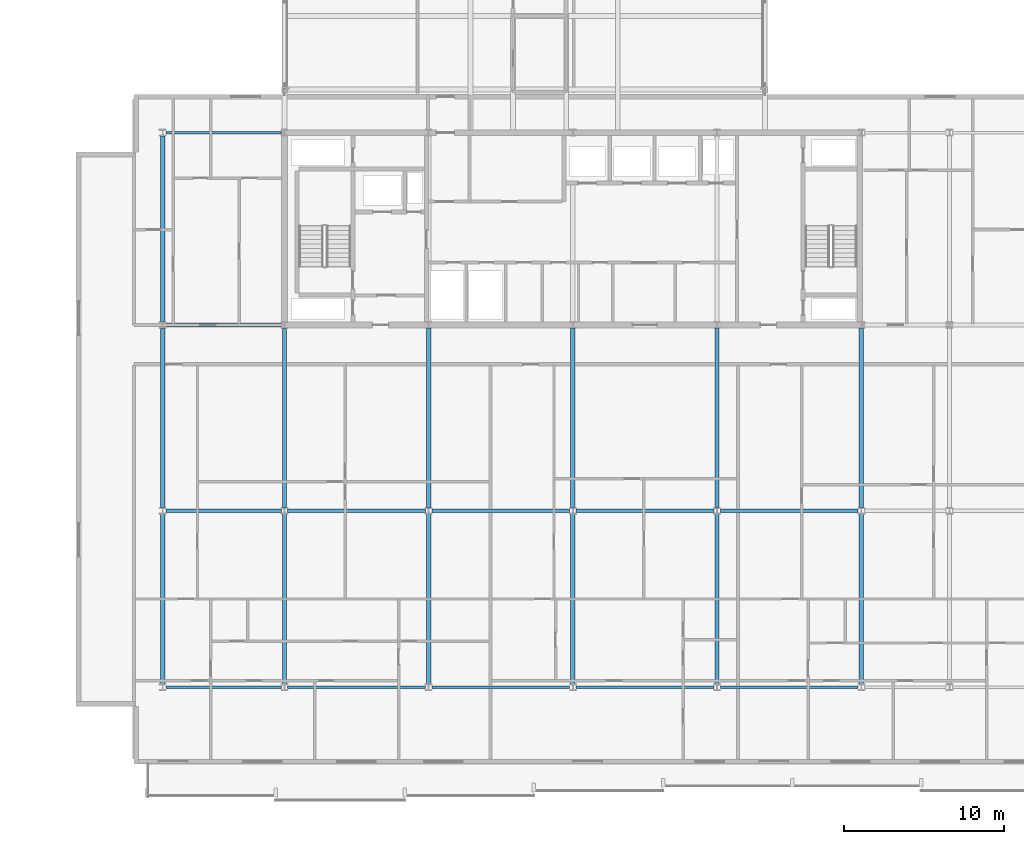
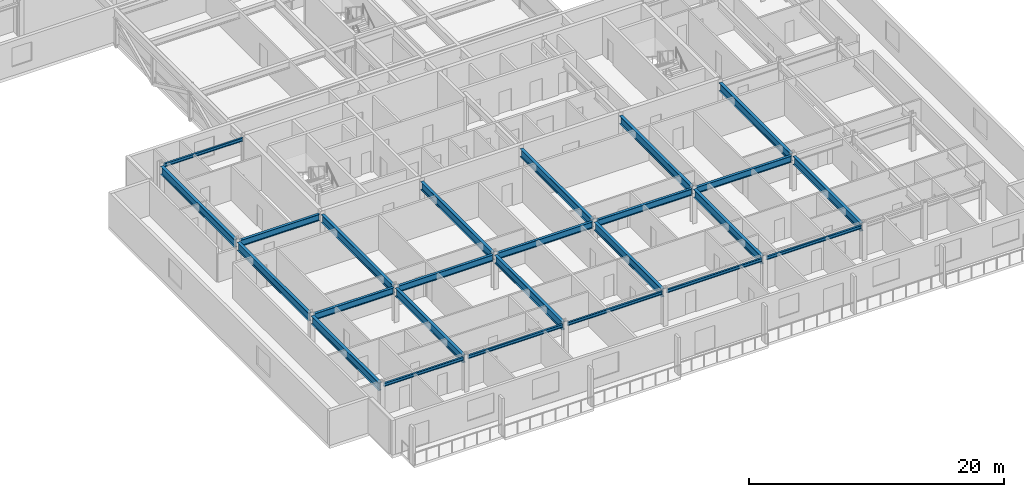
# One storey, part 3 of 36: 25 beams.
"""IFC4 building model written with IfcOpenShell, lengths in metres."""

from ifc_helpers import new_model, si_unit, direction, frame, origin, origin_2d, place, context, subcontext, project, spatial, i_section, extrude, material, material_profile, profile_set, type_object, element, save


model = new_model("IFC4")

# Units and contexts
model_context = context("Model", 3, precision=1e-05, world=origin(), true_north=direction((0.0, 1.0)))
body_context = subcontext(model_context, "Body", "Model", "MODEL_VIEW")
ifc_project = project(units=[si_unit("LENGTHUNIT", "METRE"), si_unit("AREAUNIT", "SQUARE_METRE"), si_unit("VOLUMEUNIT", "CUBIC_METRE"), si_unit("PLANEANGLEUNIT", "RADIAN"), si_unit("MASSUNIT", "GRAM", prefix="KILO")], contexts=[model_context])

# Site, building, storey
site_placement = place(None, origin())
site = spatial("IfcSite", under=ifc_project, at=site_placement, CompositionType="ELEMENT")
building_placement = place(site_placement, origin())
building = spatial("IfcBuilding", under=site, at=building_placement, Name="Korimba Cascade Residences", CompositionType="ELEMENT")
storey_placement = place(building_placement, frame((0.0, 0.0, 146.5)))
storey = spatial("IfcBuildingStorey", under=building, at=storey_placement, Name="L42", CompositionType="ELEMENT", Elevation=146.5)

# Beams
ifc_material = material(Name="Steel S355", Category="steel")
ifc_material_profile_1 = material_profile(ifc_material, i_section(OverallWidth=0.165771484375, OverallDepth=0.306640625, WebThickness=0.006591796875, FlangeThickness=0.01171875, FilletRadius=0.0087890625, at=origin_2d()), Name="Steel S355")
ifc_profile_set_1 = profile_set([ifc_material_profile_1], Name="Steel S355")
beam_type_1 = type_object("IfcBeamType", Name="BM-STL-UB305", PredefinedType="SPANDREL", material=ifc_profile_set_1)
beam_1_placement = place(storey_placement, frame((74.701416015625, -4.199951171875, 3.15673828125), z_axis=(1.0, 0.0, 0.0), x_axis=(0.0, 1.0, 0.0)))
element("IfcBeam", 1, at=beam_1_placement, inside=storey, type_object=beam_type_1, Name="L42 T2 E-W Girder Y1 Bay 1", PredefinedType="SPANDREL", context=body_context, shape_type="SweptSolid", body=[
    extrude(i_section(OverallWidth=0.165771484375, OverallDepth=0.306640625, WebThickness=0.006591796875, FlangeThickness=0.01171875, FilletRadius=0.0087890625, at=origin_2d()), origin(), (0.0, 0.0, 1.0), 7.197021484375),
])
for number, where, z_axis, x_axis, name in (
    (2, (82.301513671875, -4.199951171875, 3.15673828125), (1.0, 0.0, 0.0), (0.0, 1.0, 0.0), "L42 T2 E-W Girder Y1 Bay 2"),
    (3, (91.301513671875, -4.199951171875, 3.15673828125), (1.0, 0.0, 0.0), (0.0, 1.0, 0.0), "L42 T2 E-W Girder Y1 Bay 3"),
    (4, (100.301513671875, -4.199951171875, 3.15673828125), (1.0, 0.0, 0.0), (0.0, 1.0, 0.0), "L42 T2 E-W Girder Y1 Bay 4"),
    (5, (109.301513671875, -4.199951171875, 3.15673828125), (1.0, 0.0, 0.0), (0.0, 1.0, 0.0), "L42 T2 E-W Girder Y1 Bay 5"),
):
    element("IfcBeam", number, at=place(storey_placement, frame(where, z_axis=z_axis, x_axis=x_axis)), inside=storey, type_object=beam_type_1, Name=name, PredefinedType="SPANDREL", context=body_context, shape_type="SweptSolid", body=[
        extrude(i_section(OverallWidth=0.165771484375, OverallDepth=0.306640625, WebThickness=0.006591796875, FlangeThickness=0.01171875, FilletRadius=0.0087890625, at=origin_2d()), origin(), (0.0, 0.0, 1.0), 8.596923828125),
    ])
beam_2_placement = place(storey_placement, frame((74.701416015625, 30.39990234375, 3.15673828125), z_axis=(1.0, 0.0, 0.0), x_axis=(0.0, 1.0, 0.0)))
element("IfcBeam", 6, at=beam_2_placement, inside=storey, type_object=beam_type_1, Name="L42 T2 E-W Girder Y4 Bay 1", PredefinedType="SPANDREL", context=body_context, shape_type="SweptSolid", body=[
    extrude(i_section(OverallWidth=0.165771484375, OverallDepth=0.306640625, WebThickness=0.006591796875, FlangeThickness=0.01171875, FilletRadius=0.0087890625, at=origin_2d()), origin(), (0.0, 0.0, 1.0), 7.197021484375),
])
ifc_material_profile_2 = material_profile(ifc_material, i_section(OverallWidth=0.22900390625, OverallDepth=0.6123046875, WebThickness=0.011962890625, FlangeThickness=0.01953125, FilletRadius=0.0126953125, at=origin_2d()), Name="Steel S355")
ifc_profile_set_2 = profile_set([ifc_material_profile_2], Name="Steel S355")
beam_type_2 = type_object("IfcBeamType", Name="BM-STL-UB610B", PredefinedType="BEAM", material=ifc_profile_set_2)
beam_3_placement = place(storey_placement, frame((74.701416015625, 6.800048828125, 3.00390625), z_axis=(1.0, 0.0, 0.0), x_axis=(0.0, 1.0, 0.0)))
element("IfcBeam", 7, at=beam_3_placement, inside=storey, type_object=beam_type_2, Name="L42 T2 E-W Girder Y2 Bay 1", PredefinedType="BEAM", context=body_context, shape_type="SweptSolid", body=[
    extrude(i_section(OverallWidth=0.22900390625, OverallDepth=0.6123046875, WebThickness=0.011962890625, FlangeThickness=0.01953125, FilletRadius=0.0126953125, at=origin_2d()), origin(), (0.0, 0.0, 1.0), 7.197021484375),
])
for number, where, z_axis, x_axis, name in (
    (8, (82.301513671875, 6.800048828125, 3.00390625), (1.0, 0.0, 0.0), (0.0, 1.0, 0.0), "L42 T2 E-W Girder Y2 Bay 2"),
    (9, (91.301513671875, 6.800048828125, 3.00390625), (1.0, 0.0, 0.0), (0.0, 1.0, 0.0), "L42 T2 E-W Girder Y2 Bay 3"),
    (10, (100.301513671875, 6.800048828125, 3.00390625), (1.0, 0.0, 0.0), (0.0, 1.0, 0.0), "L42 T2 E-W Girder Y2 Bay 4"),
    (11, (109.301513671875, 6.800048828125, 3.00390625), (1.0, 0.0, 0.0), (0.0, 1.0, 0.0), "L42 T2 E-W Girder Y2 Bay 5"),
):
    element("IfcBeam", number, at=place(storey_placement, frame(where, z_axis=z_axis, x_axis=x_axis)), inside=storey, type_object=beam_type_2, Name=name, PredefinedType="BEAM", context=body_context, shape_type="SweptSolid", body=[
        extrude(i_section(OverallWidth=0.22900390625, OverallDepth=0.6123046875, WebThickness=0.011962890625, FlangeThickness=0.01953125, FilletRadius=0.0126953125, at=origin_2d()), origin(), (0.0, 0.0, 1.0), 8.596923828125),
    ])
beam_4_placement = place(storey_placement, frame((74.701416015625, 18.39990234375, 3.00390625), z_axis=(1.0, 0.0, 0.0), x_axis=(0.0, 1.0, 0.0)))
element("IfcBeam", 12, at=beam_4_placement, inside=storey, type_object=beam_type_2, Name="L42 T2 E-W Girder Y3 Bay 1", PredefinedType="BEAM", context=body_context, shape_type="SweptSolid", body=[
    extrude(i_section(OverallWidth=0.22900390625, OverallDepth=0.6123046875, WebThickness=0.011962890625, FlangeThickness=0.01953125, FilletRadius=0.0126953125, at=origin_2d()), origin(), (0.0, 0.0, 1.0), 7.197021484375),
])
ifc_material_profile_3 = material_profile(ifc_material, i_section(OverallWidth=0.26806640625, OverallDepth=0.769775390625, WebThickness=0.015625, FlangeThickness=0.025390625, FilletRadius=0.0166015625, at=origin_2d()), Name="Steel S355")
ifc_profile_set_3 = profile_set([ifc_material_profile_3], Name="Steel S355")
beam_type_3 = type_object("IfcBeamType", Name="BM-STL-UB762", PredefinedType="BEAM", material=ifc_profile_set_3)
beam_5_placement = place(storey_placement, frame((74.5, -3.996826171875, 2.925048828125), z_axis=(0.0, 1.0, 0.0), x_axis=(-1.0, 0.0, 0.0)))
element("IfcBeam", 13, at=beam_5_placement, inside=storey, type_object=beam_type_3, Name="L42 T2 N-S Girder X1 Seg 1", PredefinedType="BEAM", context=body_context, shape_type="SweptSolid", body=[
    extrude(i_section(OverallWidth=0.26806640625, OverallDepth=0.769775390625, WebThickness=0.015625, FlangeThickness=0.025390625, FilletRadius=0.0166015625, at=origin_2d()), origin(), (0.0, 0.0, 1.0), 10.593505859375),
])
beam_6_placement = place(storey_placement, frame((74.5, 7.003173828125, 2.925048828125), z_axis=(0.0, 1.0, 0.0), x_axis=(-1.0, 0.0, 0.0)))
element("IfcBeam", 14, at=beam_6_placement, inside=storey, type_object=beam_type_3, Name="L42 T2 N-S Girder X1 Seg 2", PredefinedType="BEAM", context=body_context, shape_type="SweptSolid", body=[
    extrude(i_section(OverallWidth=0.26806640625, OverallDepth=0.769775390625, WebThickness=0.015625, FlangeThickness=0.025390625, FilletRadius=0.0166015625, at=origin_2d()), origin(), (0.0, 0.0, 1.0), 11.193603515625),
])
beam_7_placement = place(storey_placement, frame((74.5, 18.603271484375, 2.925048828125), z_axis=(0.0, 1.0, 0.0), x_axis=(-1.0, 0.0, 0.0)))
element("IfcBeam", 15, at=beam_7_placement, inside=storey, type_object=beam_type_3, Name="L42 T2 N-S Girder X1 Seg 3", PredefinedType="BEAM", context=body_context, shape_type="SweptSolid", body=[
    extrude(i_section(OverallWidth=0.26806640625, OverallDepth=0.769775390625, WebThickness=0.015625, FlangeThickness=0.025390625, FilletRadius=0.0166015625, at=origin_2d()), origin(), (0.0, 0.0, 1.0), 11.593505859375),
])
beam_8_placement = place(storey_placement, frame((82.10009765625, -3.996826171875, 2.925048828125), z_axis=(0.0, 1.0, 0.0), x_axis=(-1.0, 0.0, 0.0)))
element("IfcBeam", 16, at=beam_8_placement, inside=storey, type_object=beam_type_3, Name="L42 T2 N-S Girder X2 Seg 1", PredefinedType="BEAM", context=body_context, shape_type="SweptSolid", body=[
    extrude(i_section(OverallWidth=0.26806640625, OverallDepth=0.769775390625, WebThickness=0.015625, FlangeThickness=0.025390625, FilletRadius=0.0166015625, at=origin_2d()), origin(), (0.0, 0.0, 1.0), 10.593505859375),
])
beam_9_placement = place(storey_placement, frame((82.10009765625, 7.003173828125, 2.925048828125), z_axis=(0.0, 1.0, 0.0), x_axis=(-1.0, 0.0, 0.0)))
element("IfcBeam", 17, at=beam_9_placement, inside=storey, type_object=beam_type_3, Name="L42 T2 N-S Girder X2 Seg 2", PredefinedType="BEAM", context=body_context, shape_type="SweptSolid", body=[
    extrude(i_section(OverallWidth=0.26806640625, OverallDepth=0.769775390625, WebThickness=0.015625, FlangeThickness=0.025390625, FilletRadius=0.0166015625, at=origin_2d()), origin(), (0.0, 0.0, 1.0), 11.193603515625),
])
beam_10_placement = place(storey_placement, frame((91.10009765625, -3.996826171875, 2.925048828125), z_axis=(0.0, 1.0, 0.0), x_axis=(-1.0, 0.0, 0.0)))
element("IfcBeam", 18, at=beam_10_placement, inside=storey, type_object=beam_type_3, Name="L42 T2 N-S Girder X3 Seg 1", PredefinedType="BEAM", context=body_context, shape_type="SweptSolid", body=[
    extrude(i_section(OverallWidth=0.26806640625, OverallDepth=0.769775390625, WebThickness=0.015625, FlangeThickness=0.025390625, FilletRadius=0.0166015625, at=origin_2d()), origin(), (0.0, 0.0, 1.0), 10.593505859375),
])
beam_11_placement = place(storey_placement, frame((91.10009765625, 7.003173828125, 2.925048828125), z_axis=(0.0, 1.0, 0.0), x_axis=(-1.0, 0.0, 0.0)))
element("IfcBeam", 19, at=beam_11_placement, inside=storey, type_object=beam_type_3, Name="L42 T2 N-S Girder X3 Seg 2", PredefinedType="BEAM", context=body_context, shape_type="SweptSolid", body=[
    extrude(i_section(OverallWidth=0.26806640625, OverallDepth=0.769775390625, WebThickness=0.015625, FlangeThickness=0.025390625, FilletRadius=0.0166015625, at=origin_2d()), origin(), (0.0, 0.0, 1.0), 11.193603515625),
])
beam_12_placement = place(storey_placement, frame((100.10009765625, -3.996826171875, 2.925048828125), z_axis=(0.0, 1.0, 0.0), x_axis=(-1.0, 0.0, 0.0)))
element("IfcBeam", 20, at=beam_12_placement, inside=storey, type_object=beam_type_3, Name="L42 T2 N-S Girder X4 Seg 1", PredefinedType="BEAM", context=body_context, shape_type="SweptSolid", body=[
    extrude(i_section(OverallWidth=0.26806640625, OverallDepth=0.769775390625, WebThickness=0.015625, FlangeThickness=0.025390625, FilletRadius=0.0166015625, at=origin_2d()), origin(), (0.0, 0.0, 1.0), 10.593505859375),
])
beam_13_placement = place(storey_placement, frame((100.10009765625, 7.003173828125, 2.925048828125), z_axis=(0.0, 1.0, 0.0), x_axis=(-1.0, 0.0, 0.0)))
element("IfcBeam", 21, at=beam_13_placement, inside=storey, type_object=beam_type_3, Name="L42 T2 N-S Girder X4 Seg 2", PredefinedType="BEAM", context=body_context, shape_type="SweptSolid", body=[
    extrude(i_section(OverallWidth=0.26806640625, OverallDepth=0.769775390625, WebThickness=0.015625, FlangeThickness=0.025390625, FilletRadius=0.0166015625, at=origin_2d()), origin(), (0.0, 0.0, 1.0), 11.193603515625),
])
beam_14_placement = place(storey_placement, frame((109.10009765625, -3.996826171875, 2.925048828125), z_axis=(0.0, 1.0, 0.0), x_axis=(-1.0, 0.0, 0.0)))
element("IfcBeam", 22, at=beam_14_placement, inside=storey, type_object=beam_type_3, Name="L42 T2 N-S Girder X5 Seg 1", PredefinedType="BEAM", context=body_context, shape_type="SweptSolid", body=[
    extrude(i_section(OverallWidth=0.26806640625, OverallDepth=0.769775390625, WebThickness=0.015625, FlangeThickness=0.025390625, FilletRadius=0.0166015625, at=origin_2d()), origin(), (0.0, 0.0, 1.0), 10.593505859375),
])
beam_15_placement = place(storey_placement, frame((109.10009765625, 7.003173828125, 2.925048828125), z_axis=(0.0, 1.0, 0.0), x_axis=(-1.0, 0.0, 0.0)))
element("IfcBeam", 23, at=beam_15_placement, inside=storey, type_object=beam_type_3, Name="L42 T2 N-S Girder X5 Seg 2", PredefinedType="BEAM", context=body_context, shape_type="SweptSolid", body=[
    extrude(i_section(OverallWidth=0.26806640625, OverallDepth=0.769775390625, WebThickness=0.015625, FlangeThickness=0.025390625, FilletRadius=0.0166015625, at=origin_2d()), origin(), (0.0, 0.0, 1.0), 11.193603515625),
])
beam_16_placement = place(storey_placement, frame((118.10009765625, -3.996826171875, 2.925048828125), z_axis=(0.0, 1.0, 0.0), x_axis=(-1.0, 0.0, 0.0)))
element("IfcBeam", 24, at=beam_16_placement, inside=storey, type_object=beam_type_3, Name="L42 T2 N-S Girder X6 Seg 1", PredefinedType="BEAM", context=body_context, shape_type="SweptSolid", body=[
    extrude(i_section(OverallWidth=0.26806640625, OverallDepth=0.769775390625, WebThickness=0.015625, FlangeThickness=0.025390625, FilletRadius=0.0166015625, at=origin_2d()), origin(), (0.0, 0.0, 1.0), 10.593505859375),
])
beam_17_placement = place(storey_placement, frame((118.10009765625, 7.003173828125, 2.925048828125), z_axis=(0.0, 1.0, 0.0), x_axis=(-1.0, 0.0, 0.0)))
element("IfcBeam", 25, at=beam_17_placement, inside=storey, type_object=beam_type_3, Name="L42 T2 N-S Girder X6 Seg 2", PredefinedType="BEAM", context=body_context, shape_type="SweptSolid", body=[
    extrude(i_section(OverallWidth=0.26806640625, OverallDepth=0.769775390625, WebThickness=0.015625, FlangeThickness=0.025390625, FilletRadius=0.0166015625, at=origin_2d()), origin(), (0.0, 0.0, 1.0), 11.193603515625),
])

save(model, "model.ifc")
